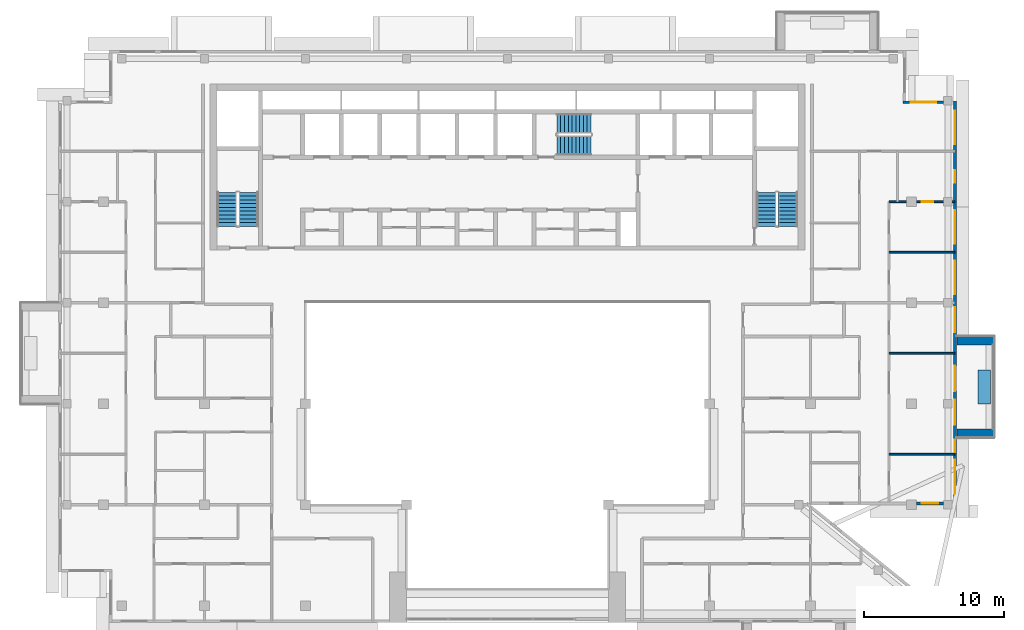
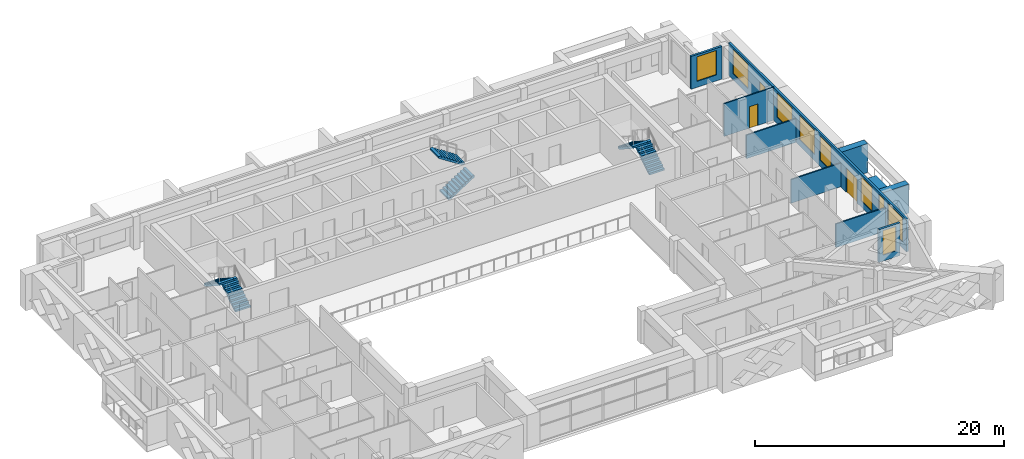
# One storey, part 12 of 19: 10 walls, 10 windows, 6 stair flights, 2 doors, 12 openings, 3 elements without a shape of their own.
"""IFC4 building model written with IfcOpenShell, lengths in metres."""

from ifc_helpers import new_model, si_unit, direction, frame, frame_2d, origin, place, context, subcontext, project, spatial, polyline, rectangle, outline, extrude, material, layer, layer_set, type_object, element, fill, aggregate, save


model = new_model("IFC4")

# Units and contexts
model_context = context("Model", 3, precision=1e-05, world=origin(), true_north=direction((0.0, 1.0)))
body_context = subcontext(model_context, "Body", "Model", "MODEL_VIEW")
ifc_project = project(units=[si_unit("LENGTHUNIT", "METRE"), si_unit("AREAUNIT", "SQUARE_METRE"), si_unit("VOLUMEUNIT", "CUBIC_METRE"), si_unit("PLANEANGLEUNIT", "RADIAN"), si_unit("MASSUNIT", "GRAM", prefix="KILO")], contexts=[model_context])

# Site, building, storey
site_placement = place(None, origin())
site = spatial("IfcSite", under=ifc_project, at=site_placement, CompositionType="ELEMENT")
building_placement = place(site_placement, origin())
building = spatial("IfcBuilding", under=site, at=building_placement, Name="Saffron Iwan Residences", CompositionType="ELEMENT")
storey_placement = place(building_placement, frame((0.0, 0.0, 264.0)))
storey = spatial("IfcBuildingStorey", under=building, at=storey_placement, Name="L71", CompositionType="ELEMENT", Elevation=264.0)

# Walls
ifc_material_1 = material(Name="Concrete C50/60 white painted", Category="concrete")
ifc_layer_1 = layer(ifc_material_1, 0.60009765625)
ifc_layer_set_1 = layer_set([ifc_layer_1], Name="Concrete C50/60 white painted")
wall_type_1 = type_object("IfcWallType", Name="BALCONY FIN 600", PredefinedType="SOLIDWALL", material=ifc_layer_set_1)
for number, where, z_axis, x_axis, name in (
    (1, (82.449951171875, 53.10009765625, 0.0), (0.0, 0.0, 1.0), (1.0, 0.0, 0.0), "Balcony fin L71 F2-0a"),
    (2, (82.449951171875, 59.699951171875, 0.0), (0.0, 0.0, 1.0), (1.0, 0.0, 0.0), "Balcony fin L71 F2-0b"),
):
    element("IfcWall", number, at=place(storey_placement, frame(where, z_axis=z_axis, x_axis=x_axis)), inside=storey, type_object=wall_type_1, Name=name, PredefinedType="SOLIDWALL", context=body_context, shape_type="SweptSolid", body=[
        extrude(rectangle(XDim=2.650146484375, YDim=0.60009765625, at=frame_2d((1.3251953125, 0.0))), origin(), (0.0, 0.0, 1.0), 2.85009765625),
    ])
ifc_material_2 = material(Name="Concrete C35/45 white painted", Category="concrete")
ifc_layer_2 = layer(ifc_material_2, 0.14990234375)
ifc_layer_set_2 = layer_set([ifc_layer_2], Name="Concrete C35/45 white painted")
wall_type_2 = type_object("IfcWallType", Name="BALCONY PLANTER", PredefinedType="SOLIDWALL", material=ifc_layer_set_2)
wall_1_placement = place(storey_placement, frame((84.375, 55.199951171875, 0.0), z_axis=(0.0, 0.0, 1.0), x_axis=(0.0, 1.0, 0.0)))
element("IfcWall", 3, at=wall_1_placement, inside=storey, type_object=wall_type_2, Name="PLANTER L71 F2-0", PredefinedType="SOLIDWALL", context=body_context, shape_type="SweptSolid", body=[
    extrude(rectangle(XDim=2.400146484375, YDim=0.89990234375, at=frame_2d((1.2001953125, 0.0))), origin(), (0.0, 0.0, 1.0), 0.89990234375),
])

# Wall, opening, window
ifc_material_3 = material(Name="Concrete C40/50", Category="concrete")
ifc_layer_3 = layer(ifc_material_3, 0.199951171875)
ifc_layer_set_3 = layer_set([ifc_layer_3], Name="Concrete C40/50")
wall_type_3 = type_object("IfcWallType", Name="EXTERNAL WALL 200", PredefinedType="SOLIDWALL", material=ifc_layer_set_3)
wall_2_placement = place(storey_placement, frame((79.550048828125, 48.10009765625, 0.0), z_axis=(0.0, 0.0, 1.0), x_axis=(1.0, 0.0, 0.0)))
wall_2 = element("IfcWall", 4, at=wall_2_placement, inside=storey, type_object=wall_type_3, Name="External wall L71 F1.1", PredefinedType="SOLIDWALL", context=body_context, shape_type="SweptSolid", body=[
    extrude(rectangle(XDim=1.949951171875, YDim=0.199951171875, at=frame_2d((0.97509765625, 0.0))), origin(), (0.0, 0.0, 1.0), 3.219970703125),
])
opening_1_placement = place(wall_2_placement, frame((0.375, 0.0, 0.60009765625)))
opening_1 = element("IfcOpeningElement", 5, at=opening_1_placement, cuts=wall_2, Name="Opening W3", PredefinedType="OPENING", context=body_context, shape_type="SweptSolid", body=[
    extrude(rectangle(XDim=1.199951171875, YDim=2.39990234375, at=frame_2d((0.60009765625, 1.199951171875))), frame((0.0, 0.10986328125, 0.0), z_axis=(0.0, -1.0, 0.0), x_axis=(1.0, 0.0, 0.0)), (0.0, 0.0, 1.0), 0.219970703125),
])
ifc_material_4 = material(Name="Clear glass, laminated double glazed", Category="glass")
window_type_1 = type_object("IfcWindowType", Name="WINDOW 1200 x 2400", PartitioningType="SINGLE_PANEL", PredefinedType="WINDOW", material=ifc_material_4)
window_1_placement = place(opening_1_placement, origin())
window_1 = element("IfcWindow", 6, at=window_1_placement, inside=storey, type_object=window_type_1, Name="Window L71 F1.0", OverallHeight=2.39990234375, OverallWidth=1.199951171875, PartitioningType="SINGLE_PANEL", PredefinedType="WINDOW", context=body_context, shape_type="SweptSolid", body=[
    extrude(rectangle(XDim=1.199951171875, YDim=2.39990234375, at=frame_2d((0.60009765625, 1.199951171875))), frame((0.0, 0.030029296875, 0.0), z_axis=(0.0, -1.0, 0.0), x_axis=(1.0, 0.0, 0.0)), (0.0, 0.0, 1.0), 0.06005859375),
])
fill(opening_1, window_1)

# Wall, openings, door, windows
wall_3_placement = place(storey_placement, frame((82.300048828125, 48.199951171875, 0.0), z_axis=(0.0, 0.0, 1.0), x_axis=(0.0, 1.0, 0.0)))
wall_3 = element("IfcWall", 7, at=wall_3_placement, inside=storey, type_object=wall_type_3, Name="External wall L71 F2.0", PredefinedType="SOLIDWALL", context=body_context, shape_type="SweptSolid", body=[
    extrude(rectangle(XDim=28.60009765625, YDim=0.199951171875, at=frame_2d((14.300048828125, 0.0))), origin(), (0.0, 0.0, 1.0), 3.219970703125),
])
opening_2_placement = place(wall_3_placement, frame((7.89990234375, 0.0, 0.0)))
opening_2 = element("IfcOpeningElement", 8, at=opening_2_placement, cuts=wall_3, Name="Opening BD1", PredefinedType="OPENING", context=body_context, shape_type="SweptSolid", body=[
    extrude(rectangle(XDim=1.800048828125, YDim=2.39990234375, at=frame_2d((0.89990234375, 1.199951171875))), frame((0.0, 0.10986328125, 0.0), z_axis=(0.0, -1.0, 0.0), x_axis=(1.0, 0.0, 0.0)), (0.0, 0.0, 1.0), 0.219970703125),
])
opening_3_placement = place(wall_3_placement, frame((0.60009765625, 0.0, 0.60009765625)))
opening_3 = element("IfcOpeningElement", 9, at=opening_3_placement, cuts=wall_3, Name="Opening W1", PredefinedType="OPENING", context=body_context, shape_type="SweptSolid", body=[
    extrude(rectangle(XDim=2.39990234375, YDim=2.39990234375, at=frame_2d((1.199951171875, 1.199951171875))), frame((0.0, 0.10986328125, 0.0), z_axis=(0.0, -1.0, 0.0), x_axis=(1.0, 0.0, 0.0)), (0.0, 0.0, 1.0), 0.219970703125),
])
opening_4_placement = place(wall_3_placement, frame((3.550048828125, 0.0, 0.60009765625)))
opening_4 = element("IfcOpeningElement", 10, at=opening_4_placement, cuts=wall_3, Name="Opening W10", PredefinedType="OPENING", context=body_context, shape_type="SweptSolid", body=[
    extrude(rectangle(XDim=0.89990234375, YDim=2.39990234375, at=frame_2d((0.449951171875, 1.199951171875))), frame((0.0, 0.10986328125, 0.0), z_axis=(0.0, -1.0, 0.0), x_axis=(1.0, 0.0, 0.0)), (0.0, 0.0, 1.0), 0.219970703125),
])
opening_5_placement = place(wall_3_placement, frame((5.5, 0.0, 0.60009765625)))
opening_5 = element("IfcOpeningElement", 11, at=opening_5_placement, cuts=wall_3, Name="Opening W8", PredefinedType="OPENING", context=body_context, shape_type="SweptSolid", body=[
    extrude(rectangle(XDim=1.800048828125, YDim=2.39990234375, at=frame_2d((0.89990234375, 1.199951171875))), frame((0.0, 0.10986328125, 0.0), z_axis=(0.0, -1.0, 0.0), x_axis=(1.0, 0.0, 0.0)), (0.0, 0.0, 1.0), 0.219970703125),
])
opening_6_placement = place(wall_3_placement, frame((12.10009765625, 0.0, 0.60009765625)))
opening_6 = element("IfcOpeningElement", 12, at=opening_6_placement, cuts=wall_3, Name="Opening W8", PredefinedType="OPENING", context=body_context, shape_type="SweptSolid", body=[
    extrude(rectangle(XDim=1.800048828125, YDim=2.39990234375, at=frame_2d((0.89990234375, 1.199951171875))), frame((0.0, 0.10986328125, 0.0), z_axis=(0.0, -1.0, 0.0), x_axis=(1.0, 0.0, 0.0)), (0.0, 0.0, 1.0), 0.219970703125),
])
opening_7_placement = place(wall_3_placement, frame((14.800048828125, 0.0, 0.60009765625)))
opening_7 = element("IfcOpeningElement", 13, at=opening_7_placement, cuts=wall_3, Name="Opening W1", PredefinedType="OPENING", context=body_context, shape_type="SweptSolid", body=[
    extrude(rectangle(XDim=2.39990234375, YDim=2.39990234375, at=frame_2d((1.199951171875, 1.199951171875))), frame((0.0, 0.10986328125, 0.0), z_axis=(0.0, -1.0, 0.0), x_axis=(1.0, 0.0, 0.0)), (0.0, 0.0, 1.0), 0.219970703125),
])
opening_8_placement = place(wall_3_placement, frame((18.39990234375, 0.0, 0.60009765625)))
opening_8 = element("IfcOpeningElement", 14, at=opening_8_placement, cuts=wall_3, Name="Opening W1", PredefinedType="OPENING", context=body_context, shape_type="SweptSolid", body=[
    extrude(rectangle(XDim=2.39990234375, YDim=2.39990234375, at=frame_2d((1.199951171875, 1.199951171875))), frame((0.0, 0.10986328125, 0.0), z_axis=(0.0, -1.0, 0.0), x_axis=(1.0, 0.0, 0.0)), (0.0, 0.0, 1.0), 0.219970703125),
])
opening_9_placement = place(wall_3_placement, frame((22.75, 0.0, 1.5)))
opening_9 = element("IfcOpeningElement", 15, at=opening_9_placement, cuts=wall_3, Name="Opening W6", PredefinedType="OPENING", context=body_context, shape_type="SweptSolid", body=[
    extrude(rectangle(XDim=0.89990234375, YDim=0.89990234375, at=frame_2d((0.449951171875, 0.449951171875))), frame((0.0, 0.10986328125, 0.0), z_axis=(0.0, -1.0, 0.0), x_axis=(1.0, 0.0, 0.0)), (0.0, 0.0, 1.0), 0.219970703125),
])
opening_10_placement = place(wall_3_placement, frame((25.5, 0.0, 0.60009765625)))
opening_10 = element("IfcOpeningElement", 16, at=opening_10_placement, cuts=wall_3, Name="Opening W1", PredefinedType="OPENING", context=body_context, shape_type="SweptSolid", body=[
    extrude(rectangle(XDim=2.39990234375, YDim=2.39990234375, at=frame_2d((1.199951171875, 1.199951171875))), frame((0.0, 0.10986328125, 0.0), z_axis=(0.0, -1.0, 0.0), x_axis=(1.0, 0.0, 0.0)), (0.0, 0.0, 1.0), 0.219970703125),
])
door_type_1 = type_object("IfcDoorType", Name="BALCONY DOOR 1800 x 2400", OperationType="DOUBLE_DOOR_SLIDING", PredefinedType="DOOR", material=ifc_material_4)
door_1_placement = place(opening_2_placement, origin())
door_1 = element("IfcDoor", 17, at=door_1_placement, inside=storey, type_object=door_type_1, Name="Balcony door L71 F2.0", OperationType="DOUBLE_DOOR_SLIDING", OverallHeight=2.39990234375, OverallWidth=1.800048828125, PredefinedType="DOOR", context=body_context, shape_type="SweptSolid", body=[
    extrude(rectangle(XDim=1.800048828125, YDim=2.39990234375, at=frame_2d((0.89990234375, 1.199951171875))), frame((0.0, 0.02490234375, 0.0), z_axis=(0.0, -1.0, 0.0), x_axis=(1.0, 0.0, 0.0)), (0.0, 0.0, 1.0), 0.050048828125),
])
fill(opening_2, door_1)
window_type_2 = type_object("IfcWindowType", Name="WINDOW 1800 x 2400", PartitioningType="DOUBLE_PANEL_VERTICAL", PredefinedType="WINDOW", material=ifc_material_4)
window_2_placement = place(opening_5_placement, origin())
window_2 = element("IfcWindow", 18, at=window_2_placement, inside=storey, type_object=window_type_2, Name="Window L71 F2.3", OverallHeight=2.39990234375, OverallWidth=1.800048828125, PartitioningType="DOUBLE_PANEL_VERTICAL", PredefinedType="WINDOW", context=body_context, shape_type="SweptSolid", body=[
    extrude(rectangle(XDim=1.800048828125, YDim=2.39990234375, at=frame_2d((0.89990234375, 1.199951171875))), frame((0.0, 0.030029296875, 0.0), z_axis=(0.0, -1.0, 0.0), x_axis=(1.0, 0.0, 0.0)), (0.0, 0.0, 1.0), 0.06005859375),
])
fill(opening_5, window_2)
window_3_placement = place(opening_6_placement, origin())
window_3 = element("IfcWindow", 19, at=window_3_placement, inside=storey, type_object=window_type_2, Name="Window L71 F2.4", OverallHeight=2.39990234375, OverallWidth=1.800048828125, PartitioningType="DOUBLE_PANEL_VERTICAL", PredefinedType="WINDOW", context=body_context, shape_type="SweptSolid", body=[
    extrude(rectangle(XDim=1.800048828125, YDim=2.39990234375, at=frame_2d((0.89990234375, 1.199951171875))), frame((0.0, 0.030029296875, 0.0), z_axis=(0.0, -1.0, 0.0), x_axis=(1.0, 0.0, 0.0)), (0.0, 0.0, 1.0), 0.06005859375),
])
fill(opening_6, window_3)
window_type_3 = type_object("IfcWindowType", Name="WINDOW 2400 x 2400", PartitioningType="DOUBLE_PANEL_VERTICAL", PredefinedType="WINDOW", material=ifc_material_4)
window_4_placement = place(opening_3_placement, origin())
window_4 = element("IfcWindow", 20, at=window_4_placement, inside=storey, type_object=window_type_3, Name="Window L71 F2.1", OverallHeight=2.39990234375, OverallWidth=2.39990234375, PartitioningType="DOUBLE_PANEL_VERTICAL", PredefinedType="WINDOW", context=body_context, shape_type="SweptSolid", body=[
    extrude(rectangle(XDim=2.39990234375, YDim=2.39990234375, at=frame_2d((1.199951171875, 1.199951171875))), frame((0.0, 0.030029296875, 0.0), z_axis=(0.0, -1.0, 0.0), x_axis=(1.0, 0.0, 0.0)), (0.0, 0.0, 1.0), 0.06005859375),
])
fill(opening_3, window_4)
window_5_placement = place(opening_7_placement, origin())
window_5 = element("IfcWindow", 21, at=window_5_placement, inside=storey, type_object=window_type_3, Name="Window L71 F2.5", OverallHeight=2.39990234375, OverallWidth=2.39990234375, PartitioningType="DOUBLE_PANEL_VERTICAL", PredefinedType="WINDOW", context=body_context, shape_type="SweptSolid", body=[
    extrude(rectangle(XDim=2.39990234375, YDim=2.39990234375, at=frame_2d((1.199951171875, 1.199951171875))), frame((0.0, 0.030029296875, 0.0), z_axis=(0.0, -1.0, 0.0), x_axis=(1.0, 0.0, 0.0)), (0.0, 0.0, 1.0), 0.06005859375),
])
fill(opening_7, window_5)
window_6_placement = place(opening_8_placement, origin())
window_6 = element("IfcWindow", 22, at=window_6_placement, inside=storey, type_object=window_type_3, Name="Window L71 F2.6", OverallHeight=2.39990234375, OverallWidth=2.39990234375, PartitioningType="DOUBLE_PANEL_VERTICAL", PredefinedType="WINDOW", context=body_context, shape_type="SweptSolid", body=[
    extrude(rectangle(XDim=2.39990234375, YDim=2.39990234375, at=frame_2d((1.199951171875, 1.199951171875))), frame((0.0, 0.030029296875, 0.0), z_axis=(0.0, -1.0, 0.0), x_axis=(1.0, 0.0, 0.0)), (0.0, 0.0, 1.0), 0.06005859375),
])
fill(opening_8, window_6)
window_7_placement = place(opening_10_placement, origin())
window_7 = element("IfcWindow", 23, at=window_7_placement, inside=storey, type_object=window_type_3, Name="Window L71 F2.8", OverallHeight=2.39990234375, OverallWidth=2.39990234375, PartitioningType="DOUBLE_PANEL_VERTICAL", PredefinedType="WINDOW", context=body_context, shape_type="SweptSolid", body=[
    extrude(rectangle(XDim=2.39990234375, YDim=2.39990234375, at=frame_2d((1.199951171875, 1.199951171875))), frame((0.0, 0.030029296875, 0.0), z_axis=(0.0, -1.0, 0.0), x_axis=(1.0, 0.0, 0.0)), (0.0, 0.0, 1.0), 0.06005859375),
])
fill(opening_10, window_7)
window_type_4 = type_object("IfcWindowType", Name="WINDOW 900 x 2400", PartitioningType="SINGLE_PANEL", PredefinedType="WINDOW", material=ifc_material_4)
window_8_placement = place(opening_4_placement, origin())
window_8 = element("IfcWindow", 24, at=window_8_placement, inside=storey, type_object=window_type_4, Name="Window L71 F2.2", OverallHeight=2.39990234375, OverallWidth=0.89990234375, PartitioningType="SINGLE_PANEL", PredefinedType="WINDOW", context=body_context, shape_type="SweptSolid", body=[
    extrude(rectangle(XDim=0.89990234375, YDim=2.39990234375, at=frame_2d((0.449951171875, 1.199951171875))), frame((0.0, 0.030029296875, 0.0), z_axis=(0.0, -1.0, 0.0), x_axis=(1.0, 0.0, 0.0)), (0.0, 0.0, 1.0), 0.06005859375),
])
fill(opening_4, window_8)
window_type_5 = type_object("IfcWindowType", Name="WINDOW 900 x 900 BATH", PartitioningType="SINGLE_PANEL", PredefinedType="WINDOW", material=ifc_material_4)
window_9_placement = place(opening_9_placement, origin())
window_9 = element("IfcWindow", 25, at=window_9_placement, inside=storey, type_object=window_type_5, Name="Window L71 F2.7", OverallHeight=0.89990234375, OverallWidth=0.89990234375, PartitioningType="SINGLE_PANEL", PredefinedType="WINDOW", context=body_context, shape_type="SweptSolid", body=[
    extrude(rectangle(XDim=0.89990234375, YDim=0.89990234375, at=frame_2d((0.449951171875, 0.449951171875))), frame((0.0, 0.030029296875, 0.0), z_axis=(0.0, -1.0, 0.0), x_axis=(1.0, 0.0, 0.0)), (0.0, 0.0, 1.0), 0.06005859375),
])
fill(opening_9, window_9)

# Wall, opening, window
wall_4_placement = place(storey_placement, frame((81.5, 76.699951171875, 0.0), z_axis=(0.0, 0.0, 1.0), x_axis=(-1.0, 0.0, 0.0)))
wall_4 = element("IfcWall", 26, at=wall_4_placement, inside=storey, type_object=wall_type_3, Name="External wall L71 F3.0", PredefinedType="SOLIDWALL", context=body_context, shape_type="SweptSolid", body=[
    extrude(rectangle(XDim=2.89990234375, YDim=0.199951171875, at=frame_2d((1.449951171875, 0.0))), origin(), (0.0, 0.0, 1.0), 3.219970703125),
])
opening_11_placement = place(wall_4_placement, frame((0.550048828125, 0.0, 0.60009765625)))
opening_11 = element("IfcOpeningElement", 27, at=opening_11_placement, cuts=wall_4, Name="Opening W8", PredefinedType="OPENING", context=body_context, shape_type="SweptSolid", body=[
    extrude(rectangle(XDim=1.800048828125, YDim=2.39990234375, at=frame_2d((0.89990234375, 1.199951171875))), frame((0.0, 0.10986328125, 0.0), z_axis=(0.0, -1.0, 0.0), x_axis=(1.0, 0.0, 0.0)), (0.0, 0.0, 1.0), 0.219970703125),
])
window_10_placement = place(opening_11_placement, origin())
window_10 = element("IfcWindow", 28, at=window_10_placement, inside=storey, type_object=window_type_2, Name="Window L71 F3.0", OverallHeight=2.39990234375, OverallWidth=1.800048828125, PartitioningType="DOUBLE_PANEL_VERTICAL", PredefinedType="WINDOW", context=body_context, shape_type="SweptSolid", body=[
    extrude(rectangle(XDim=1.800048828125, YDim=2.39990234375, at=frame_2d((0.89990234375, 1.199951171875))), frame((0.0, 0.030029296875, 0.0), z_axis=(0.0, -1.0, 0.0), x_axis=(1.0, 0.0, 0.0)), (0.0, 0.0, 1.0), 0.06005859375),
])
fill(opening_11, window_10)

# Walls
ifc_material_5 = material(Name="Gypsum board partition")
ifc_layer_4 = layer(ifc_material_5, 0.1201171875)
ifc_layer_set_4 = layer_set([ifc_layer_4], Name="Gypsum board partition")
wall_type_4 = type_object("IfcWallType", Name="Flat partition 120", PredefinedType="PARTITIONING", material=ifc_layer_set_4)
for number, where, z_axis, x_axis, name in (
    (29, (77.60009765625, 51.60009765625, 0.0), (0.0, 0.0, 1.0), (1.0, 0.0, 0.0), "W-L71-PART-h51.6-77.6"),
    (30, (77.60009765625, 58.800048828125, 0.0), (0.0, 0.0, 1.0), (1.0, 0.0, 0.0), "W-L71-PART-h58.8-77.6"),
    (31, (77.60009765625, 66.0, 0.0), (0.0, 0.0, 1.0), (1.0, 0.0, 0.0), "W-L71-PART-h66-77.6"),
):
    element("IfcWall", number, at=place(storey_placement, frame(where, z_axis=z_axis, x_axis=x_axis)), inside=storey, type_object=wall_type_4, Name=name, PredefinedType="PARTITIONING", context=body_context, shape_type="SweptSolid", body=[
        extrude(rectangle(XDim=4.6748046875, YDim=0.1201171875, at=frame_2d((2.33740234375, 0.0))), origin(), (0.0, 0.0, 1.0), 2.320068359375),
    ])

# Wall, opening, door
wall_5_placement = place(storey_placement, frame((77.60009765625, 69.60009765625, 0.0), z_axis=(0.0, 0.0, 1.0), x_axis=(1.0, 0.0, 0.0)))
wall_5 = element("IfcWall", 32, at=wall_5_placement, inside=storey, type_object=wall_type_4, Name="W-L71-PART-h69.6-77.6", PredefinedType="PARTITIONING", context=body_context, shape_type="SweptSolid", body=[
    extrude(rectangle(XDim=4.6748046875, YDim=0.1201171875, at=frame_2d((2.33740234375, 0.0))), origin(), (0.0, 0.0, 1.0), 3.219970703125),
])
opening_12_placement = place(wall_5_placement, frame((2.33740234375, 0.0, 0.0)))
opening_12 = element("IfcOpeningElement", 33, at=opening_12_placement, cuts=wall_5, Name="Opening FD3", PredefinedType="OPENING", context=body_context, shape_type="SweptSolid", body=[
    extrude(rectangle(XDim=0.800048828125, YDim=2.10009765625, at=frame_2d((0.39990234375, 1.050048828125))), frame((0.0, 0.070068359375, 0.0), z_axis=(0.0, -1.0, 0.0), x_axis=(1.0, 0.0, 0.0)), (0.0, 0.0, 1.0), 0.14013671875),
])
ifc_material_6 = material(Name="Timber door", Category="wood")
door_type_2 = type_object("IfcDoorType", Name="Bathroom door 800", OperationType="NOTDEFINED", PredefinedType="DOOR", material=ifc_material_6)
door_2_placement = place(opening_12_placement, origin())
door_2 = element("IfcDoor", 34, at=door_2_placement, inside=storey, type_object=door_type_2, Name="Door L71-037", OperationType="SINGLE_SWING_RIGHT", OverallHeight=2.10009765625, OverallWidth=0.800048828125, PredefinedType="DOOR", context=body_context, shape_type="SweptSolid", body=[
    extrude(rectangle(XDim=0.800048828125, YDim=2.10009765625, at=frame_2d((0.39990234375, 1.050048828125))), frame((0.0, 0.02490234375, 0.0), z_axis=(0.0, -1.0, 0.0), x_axis=(1.0, 0.0, 0.0)), (0.0, 0.0, 1.0), 0.050048828125),
])
fill(opening_12, door_2)

# Stair, stair flights
ifc_material_7 = material(Name="Concrete C50/60", Category="concrete")
stair_type = type_object("IfcStairType", Name="Stair ST-CORE", PredefinedType="HALF_TURN_STAIR", material=ifc_material_7)
stair_1_placement = place(storey_placement, origin())
stair_1 = element("IfcStair", 35, at=stair_1_placement, inside=storey, type_object=stair_type, Name="L71 Exit Stair ST-W", PredefinedType="HALF_TURN_STAIR")
ifc_layer_5 = layer(ifc_material_7, 0.14990234375)
ifc_layer_set_5 = layer_set([ifc_layer_5], Name="Concrete C50/60")
stair_flight_type = type_object("IfcStairFlightType", Name="Stair flight SFL-RC", PredefinedType="STRAIGHT", material=ifc_layer_set_5)
stair_flight_1_placement = place(storey_placement, frame((31.949951171875, 67.85009765625, 0.0), z_axis=(0.0, 0.0, 1.0), x_axis=(0.0, 1.0, 0.0)))
stair_flight_1 = element("IfcStairFlight", 36, at=stair_flight_1_placement, type_object=stair_flight_type, Name="ST-W flight 1", NumberOfRisers=10, NumberOfTreads=9, PredefinedType="STRAIGHT", RiserHeight=0.175, TreadLength=0.27, context=body_context, shape_type="SweptSolid", body=[
    extrude(outline(polyline([(0.0, 0.0), (0.0, 0.175048828125), (0.27001953125, 0.175048828125), (0.27001953125, 0.35009765625), (0.5400390625, 0.35009765625), (0.5400390625, 0.52490234375), (0.81005859375, 0.52490234375), (0.81005859375, 0.699951171875), (1.080078125, 0.699951171875), (1.080078125, 0.875), (1.35009765625, 0.875), (1.35009765625, 1.050048828125), (1.6201171875, 1.050048828125), (1.6201171875, 1.22509765625), (1.889892578125, 1.22509765625), (1.889892578125, 1.39990234375), (2.159912109375, 1.39990234375), (2.159912109375, 1.574951171875), (2.429931640625, 1.574951171875), (2.429931640625, 1.75), (2.429931640625, 1.396484375), (0.275634765625, 0.0), (0.0, 0.0)])), frame((0.0, 0.699951171875, 0.0), z_axis=(0.0, -1.0, 0.0), x_axis=(1.0, 0.0, 0.0)), (0.0, 0.0, 1.0), 1.39990234375),
])
stair_flight_2_placement = place(storey_placement, frame((30.39990234375, 70.280029296875, 1.75), z_axis=(0.0, 0.0, 1.0), x_axis=(0.0, -1.0, 0.0)))
stair_flight_2 = element("IfcStairFlight", 37, at=stair_flight_2_placement, type_object=stair_flight_type, Name="ST-W flight 2", NumberOfRisers=10, NumberOfTreads=9, PredefinedType="STRAIGHT", RiserHeight=0.175, TreadLength=0.27, context=body_context, shape_type="SweptSolid", body=[
    extrude(outline(polyline([(0.0, 0.0), (0.0, 0.175048828125), (0.27001953125, 0.175048828125), (0.27001953125, 0.35009765625), (0.5400390625, 0.35009765625), (0.5400390625, 0.52490234375), (0.81005859375, 0.52490234375), (0.81005859375, 0.699951171875), (1.080078125, 0.699951171875), (1.080078125, 0.875), (1.35009765625, 0.875), (1.35009765625, 1.050048828125), (1.6201171875, 1.050048828125), (1.6201171875, 1.22509765625), (1.889892578125, 1.22509765625), (1.889892578125, 1.39990234375), (2.159912109375, 1.39990234375), (2.159912109375, 1.574951171875), (2.429931640625, 1.574951171875), (2.429931640625, 1.75), (2.429931640625, 1.396484375), (0.275634765625, 0.0), (0.0, 0.0)])), frame((0.0, 0.699951171875, 0.0), z_axis=(0.0, -1.0, 0.0), x_axis=(1.0, 0.0, 0.0)), (0.0, 0.0, 1.0), 1.39990234375),
])
aggregate(stair_1, [stair_flight_1, stair_flight_2])

stair_2_placement = place(storey_placement, origin())
stair_2 = element("IfcStair", 38, at=stair_2_placement, inside=storey, type_object=stair_type, Name="L71 Exit Stair ST-C", PredefinedType="HALF_TURN_STAIR")
stair_flight_3_placement = place(storey_placement, frame((53.925048828125, 73.625, 0.0), z_axis=(0.0, 0.0, 1.0), x_axis=(1.0, 0.0, 0.0)))
stair_flight_3 = element("IfcStairFlight", 39, at=stair_flight_3_placement, type_object=stair_flight_type, Name="ST-C flight 1", NumberOfRisers=10, NumberOfTreads=9, PredefinedType="STRAIGHT", RiserHeight=0.175, TreadLength=0.27, context=body_context, shape_type="SweptSolid", body=[
    extrude(outline(polyline([(0.0, 0.0), (0.0, 0.175048828125), (0.27001953125, 0.175048828125), (0.27001953125, 0.35009765625), (0.5400390625, 0.35009765625), (0.5400390625, 0.52490234375), (0.81005859375, 0.52490234375), (0.81005859375, 0.699951171875), (1.080078125, 0.699951171875), (1.080078125, 0.875), (1.35009765625, 0.875), (1.35009765625, 1.050048828125), (1.6201171875, 1.050048828125), (1.6201171875, 1.22509765625), (1.889892578125, 1.22509765625), (1.889892578125, 1.39990234375), (2.159912109375, 1.39990234375), (2.159912109375, 1.574951171875), (2.429931640625, 1.574951171875), (2.429931640625, 1.75), (2.429931640625, 1.396484375), (0.275634765625, 0.0), (0.0, 0.0)])), frame((0.0, 0.699951171875, 0.0), z_axis=(0.0, -1.0, 0.0), x_axis=(1.0, 0.0, 0.0)), (0.0, 0.0, 1.0), 1.39990234375),
])
stair_flight_4_placement = place(storey_placement, frame((56.35498046875, 75.175048828125, 1.75), z_axis=(0.0, 0.0, 1.0), x_axis=(-1.0, 0.0, 0.0)))
stair_flight_4 = element("IfcStairFlight", 40, at=stair_flight_4_placement, type_object=stair_flight_type, Name="ST-C flight 2", NumberOfRisers=10, NumberOfTreads=9, PredefinedType="STRAIGHT", RiserHeight=0.175, TreadLength=0.27, context=body_context, shape_type="SweptSolid", body=[
    extrude(outline(polyline([(0.0, 0.0), (0.0, 0.175048828125), (0.27001953125, 0.175048828125), (0.27001953125, 0.35009765625), (0.5400390625, 0.35009765625), (0.5400390625, 0.52490234375), (0.81005859375, 0.52490234375), (0.81005859375, 0.699951171875), (1.080078125, 0.699951171875), (1.080078125, 0.875), (1.35009765625, 0.875), (1.35009765625, 1.050048828125), (1.6201171875, 1.050048828125), (1.6201171875, 1.22509765625), (1.889892578125, 1.22509765625), (1.889892578125, 1.39990234375), (2.159912109375, 1.39990234375), (2.159912109375, 1.574951171875), (2.429931640625, 1.574951171875), (2.429931640625, 1.75), (2.429931640625, 1.396484375), (0.275634765625, 0.0), (0.0, 0.0)])), frame((0.0, 0.699951171875, 0.0), z_axis=(0.0, -1.0, 0.0), x_axis=(1.0, 0.0, 0.0)), (0.0, 0.0, 1.0), 1.39990234375),
])
aggregate(stair_2, [stair_flight_3, stair_flight_4])

stair_3_placement = place(storey_placement, origin())
stair_3 = element("IfcStair", 41, at=stair_3_placement, inside=storey, type_object=stair_type, Name="L71 Exit Stair ST-E", PredefinedType="HALF_TURN_STAIR")
stair_flight_5_placement = place(storey_placement, frame((70.39990234375, 67.85009765625, 0.0), z_axis=(0.0, 0.0, 1.0), x_axis=(0.0, 1.0, 0.0)))
stair_flight_5 = element("IfcStairFlight", 42, at=stair_flight_5_placement, type_object=stair_flight_type, Name="ST-E flight 1", NumberOfRisers=10, NumberOfTreads=9, PredefinedType="STRAIGHT", RiserHeight=0.175, TreadLength=0.27, context=body_context, shape_type="SweptSolid", body=[
    extrude(outline(polyline([(0.0, 0.0), (0.0, 0.175048828125), (0.27001953125, 0.175048828125), (0.27001953125, 0.35009765625), (0.5400390625, 0.35009765625), (0.5400390625, 0.52490234375), (0.81005859375, 0.52490234375), (0.81005859375, 0.699951171875), (1.080078125, 0.699951171875), (1.080078125, 0.875), (1.35009765625, 0.875), (1.35009765625, 1.050048828125), (1.6201171875, 1.050048828125), (1.6201171875, 1.22509765625), (1.889892578125, 1.22509765625), (1.889892578125, 1.39990234375), (2.159912109375, 1.39990234375), (2.159912109375, 1.574951171875), (2.429931640625, 1.574951171875), (2.429931640625, 1.75), (2.429931640625, 1.396484375), (0.275634765625, 0.0), (0.0, 0.0)])), frame((0.0, 0.699951171875, 0.0), z_axis=(0.0, -1.0, 0.0), x_axis=(1.0, 0.0, 0.0)), (0.0, 0.0, 1.0), 1.39990234375),
])
stair_flight_6_placement = place(storey_placement, frame((68.85009765625, 70.280029296875, 1.75), z_axis=(0.0, 0.0, 1.0), x_axis=(0.0, -1.0, 0.0)))
stair_flight_6 = element("IfcStairFlight", 43, at=stair_flight_6_placement, type_object=stair_flight_type, Name="ST-E flight 2", NumberOfRisers=10, NumberOfTreads=9, PredefinedType="STRAIGHT", RiserHeight=0.175, TreadLength=0.27, context=body_context, shape_type="SweptSolid", body=[
    extrude(outline(polyline([(0.0, 0.0), (0.0, 0.175048828125), (0.27001953125, 0.175048828125), (0.27001953125, 0.35009765625), (0.5400390625, 0.35009765625), (0.5400390625, 0.52490234375), (0.81005859375, 0.52490234375), (0.81005859375, 0.699951171875), (1.080078125, 0.699951171875), (1.080078125, 0.875), (1.35009765625, 0.875), (1.35009765625, 1.050048828125), (1.6201171875, 1.050048828125), (1.6201171875, 1.22509765625), (1.889892578125, 1.22509765625), (1.889892578125, 1.39990234375), (2.159912109375, 1.39990234375), (2.159912109375, 1.574951171875), (2.429931640625, 1.574951171875), (2.429931640625, 1.75), (2.429931640625, 1.396484375), (0.275634765625, 0.0), (0.0, 0.0)])), frame((0.0, 0.699951171875, 0.0), z_axis=(0.0, -1.0, 0.0), x_axis=(1.0, 0.0, 0.0)), (0.0, 0.0, 1.0), 1.39990234375),
])
aggregate(stair_3, [stair_flight_5, stair_flight_6])

save(model, "model.ifc")
